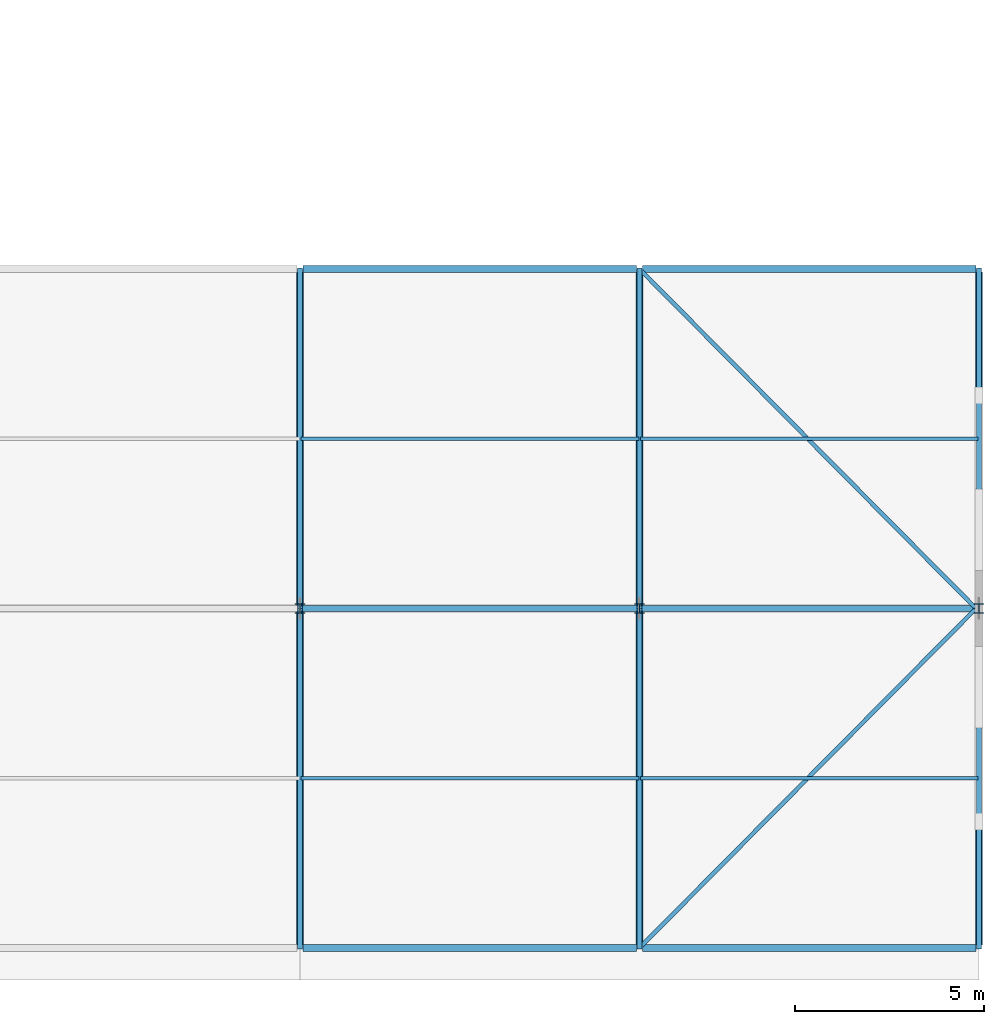
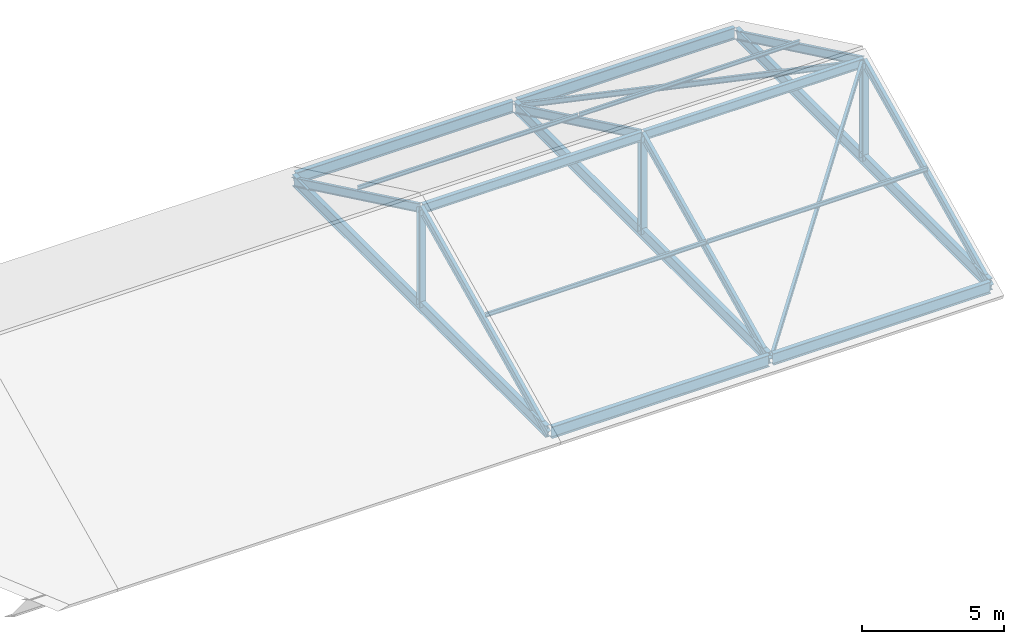
# One storey, part 5 of 9: 17 members, 7 beams.
"""IFC4 building model written with IfcOpenShell, lengths in metres."""

from ifc_helpers import new_model, si_unit, direction, frame, origin, origin_2d, place, context, subcontext, project, spatial, i_section, extrude, material, material_profile, profile_set, type_object, element, save


model = new_model("IFC4")

# Units and contexts
model_context = context("Model", 3, precision=1e-05, world=origin(), true_north=direction((0.0, 1.0)))
body_context = subcontext(model_context, "Body", "Model", "MODEL_VIEW")
ifc_project = project(units=[si_unit("LENGTHUNIT", "METRE"), si_unit("AREAUNIT", "SQUARE_METRE"), si_unit("VOLUMEUNIT", "CUBIC_METRE"), si_unit("PLANEANGLEUNIT", "RADIAN"), si_unit("MASSUNIT", "GRAM", prefix="KILO")], contexts=[model_context])

# Site, building, storey
site_placement = place(None, origin())
site = spatial("IfcSite", under=ifc_project, at=site_placement, CompositionType="ELEMENT")
building_placement = place(site_placement, origin())
building = spatial("IfcBuilding", under=site, at=building_placement, Name="Tharagai Park Tramway Depot", CompositionType="ELEMENT")
storey_placement = place(building_placement, frame((0.0, 0.0, 18.0)))
storey = spatial("IfcBuildingStorey", under=building, at=storey_placement, Name="RF", CompositionType="ELEMENT", Elevation=18.0)

# Beams
ifc_material_1 = material(Name="Steel E350", Category="steel")
ifc_material_profile_1 = material_profile(ifc_material_1, i_section(OverallWidth=0.179931640625, OverallDepth=0.5, WebThickness=0.01025390625, FlangeThickness=0.01708984375, FilletRadius=0.01708984375, at=origin_2d()), Name="ISMB 500")
ifc_profile_set_1 = profile_set([ifc_material_profile_1], Name="Steel E350")
beam_type = type_object("IfcBeamType", Name="BM-18", PredefinedType="BEAM", material=ifc_profile_set_1)
for number, where, z_axis, x_axis, name in (
    (1, (36.080078125, 0.0, -0.5), (1.0, 0.0, 0.0), (0.0, 1.0, 0.0), "V4S Roof Eave Girder BM-18"),
    (2, (36.080078125, 18.0, -0.5), (1.0, 0.0, 0.0), (0.0, 1.0, 0.0), "V4S Roof Eave Girder BM-18"),
    (3, (45.080078125, 0.0, -0.5), (1.0, 0.0, 0.0), (0.0, 1.0, 0.0), "V4S Roof Eave Girder BM-18"),
    (4, (45.080078125, 18.0, -0.5), (1.0, 0.0, 0.0), (0.0, 1.0, 0.0), "V4S Roof Eave Girder BM-18"),
):
    element("IfcBeam", number, at=place(storey_placement, frame(where, z_axis=z_axis, x_axis=x_axis)), inside=storey, type_object=beam_type, Name=name, PredefinedType="BEAM", context=body_context, shape_type="SweptSolid", body=[
        extrude(i_section(OverallWidth=0.179931640625, OverallDepth=0.5, WebThickness=0.01025390625, FlangeThickness=0.01708984375, FilletRadius=0.01708984375, at=origin_2d()), origin(), (0.0, 0.0, 1.0), 8.83984375),
    ])
for number, where, z_axis, x_axis, name in (
    (5, (36.0, 0.080078125, -0.5), (0.0, 1.0, 0.0), (-1.0, 0.0, 0.0), "V4S Gable Tie Girder BM-18"),
    (6, (45.0, 0.080078125, -0.5), (0.0, 1.0, 0.0), (-1.0, 0.0, 0.0), "V4S Gable Tie Girder BM-18"),
    (7, (54.0, 0.080078125, -0.5), (0.0, 1.0, 0.0), (-1.0, 0.0, 0.0), "V4S Gable Tie Girder BM-18"),
):
    element("IfcBeam", number, at=place(storey_placement, frame(where, z_axis=z_axis, x_axis=x_axis)), inside=storey, type_object=beam_type, Name=name, PredefinedType="BEAM", context=body_context, shape_type="SweptSolid", body=[
        extrude(i_section(OverallWidth=0.179931640625, OverallDepth=0.5, WebThickness=0.01025390625, FlangeThickness=0.01708984375, FilletRadius=0.01708984375, at=origin_2d()), origin(), (0.0, 0.0, 1.0), 17.83984375),
    ])

# Members
ifc_material_profile_2 = material_profile(ifc_material_1, i_section(OverallWidth=0.25, OverallDepth=0.25, WebThickness=0.0087890625, FlangeThickness=0.009765625, FilletRadius=0.010009765625, at=origin_2d()), Name="ISHB 250")
ifc_profile_set_2 = profile_set([ifc_material_profile_2], Name="Steel E350")
member_type_1 = type_object("IfcMemberType", Name="BR-01", PredefinedType="BRACE", material=ifc_profile_set_2)
for number, where, z_axis, x_axis, name in (
    (8, (36.0, 9.0, -0.5), (0.0, 0.0, 1.0), (1.0, 0.0, 0.0), "V4S Gable King Strut BR-01"),
    (9, (45.0, 9.0, -0.5), (0.0, 0.0, 1.0), (1.0, 0.0, 0.0), "V4S Gable King Strut BR-01"),
    (10, (54.0, 9.0, -0.5), (0.0, 0.0, 1.0), (1.0, 0.0, 0.0), "V4S Gable King Strut BR-01"),
):
    element("IfcMember", number, at=place(storey_placement, frame(where, z_axis=z_axis, x_axis=x_axis)), inside=storey, type_object=member_type_1, Name=name, PredefinedType="BRACE", context=body_context, shape_type="SweptSolid", body=[
        extrude(i_section(OverallWidth=0.25, OverallDepth=0.25, WebThickness=0.0087890625, FlangeThickness=0.009765625, FilletRadius=0.010009765625, at=origin_2d()), origin(), (0.0, 0.0, 1.0), 4.190185546875),
    ])
ifc_material_profile_3 = material_profile(ifc_material_1, i_section(OverallWidth=0.110107421875, OverallDepth=0.22509765625, WebThickness=0.006591796875, FlangeThickness=0.01171875, FilletRadius=0.011962890625, at=origin_2d()), Name="ISMB 225")
ifc_profile_set_3 = profile_set([ifc_material_profile_3], Name="Steel E350")
member_type_2 = type_object("IfcMemberType", Name="BR-04", PredefinedType="BRACE", material=ifc_profile_set_3)
for number, where, z_axis, x_axis, name in (
    (11, (45.080078125, 0.080078125, -0.5), (0.668123641953, 0.674176021388, 0.314797540094), (-0.710287879152, 0.703911307432, 0.0), "V4S Roof Wind Brace BR-04"),
    (12, (45.080078125, 17.919921875, -0.5), (0.668123641953, -0.674176021388, 0.314797540094), (0.710287879152, 0.703911307432, 0.0), "V4S Roof Wind Brace BR-04"),
):
    element("IfcMember", number, at=place(storey_placement, frame(where, z_axis=z_axis, x_axis=x_axis)), inside=storey, type_object=member_type_2, Name=name, PredefinedType="BRACE", context=body_context, shape_type="SweptSolid", body=[
        extrude(i_section(OverallWidth=0.110107421875, OverallDepth=0.22509765625, WebThickness=0.006591796875, FlangeThickness=0.01171875, FilletRadius=0.011962890625, at=origin_2d()), origin(), (0.0, 0.0, 1.0), 13.23095703125),
    ])
ifc_material_2 = material(Name="Steel E250", Category="steel")
ifc_material_profile_4 = material_profile(ifc_material_2, i_section(OverallWidth=0.090087890625, OverallDepth=0.175048828125, WebThickness=0.005615234375, FlangeThickness=0.009033203125, FilletRadius=0.010009765625, at=origin_2d()), Name="ISMB 175")
ifc_profile_set_4 = profile_set([ifc_material_profile_4], Name="Steel E250")
member_type_3 = type_object("IfcMemberType", Name="PR-01", PredefinedType="PURLIN", material=ifc_profile_set_4)
for number, where, z_axis, x_axis, name in (
    (13, (36.02001953125, 4.5, 1.811279296875), (1.0, 0.0, 0.0), (0.0, 1.0, 0.0), "V4S Roof Purlin PR-01"),
    (14, (36.02001953125, 13.5, 1.811279296875), (1.0, 0.0, 0.0), (0.0, 1.0, 0.0), "V4S Roof Purlin PR-01"),
    (15, (45.02001953125, 4.5, 1.811279296875), (1.0, 0.0, 0.0), (0.0, 1.0, 0.0), "V4S Roof Purlin PR-01"),
    (16, (45.02001953125, 13.5, 1.811279296875), (1.0, 0.0, 0.0), (0.0, 1.0, 0.0), "V4S Roof Purlin PR-01"),
):
    element("IfcMember", number, at=place(storey_placement, frame(where, z_axis=z_axis, x_axis=x_axis)), inside=storey, type_object=member_type_3, Name=name, PredefinedType="PURLIN", context=body_context, shape_type="SweptSolid", body=[
        extrude(i_section(OverallWidth=0.090087890625, OverallDepth=0.175048828125, WebThickness=0.005615234375, FlangeThickness=0.009033203125, FilletRadius=0.010009765625, at=origin_2d()), origin(), (0.0, 0.0, 1.0), 8.9599609375),
    ])
ifc_material_profile_5 = material_profile(ifc_material_1, i_section(OverallWidth=0.139892578125, OverallDepth=0.35009765625, WebThickness=0.008056640625, FlangeThickness=0.01416015625, FilletRadius=0.013916015625, at=origin_2d()), Name="ISMB 350")
ifc_profile_set_5 = profile_set([ifc_material_profile_5], Name="Steel E350")
member_type_4 = type_object("IfcMemberType", Name="RF-01", PredefinedType="RAFTER", material=ifc_profile_set_5)
for number, where, z_axis, x_axis, name in (
    (17, (36.0, 0.050048828125, -0.602783203125), (0.0, 0.901641235071, 0.432484778021), (-1.0, 0.0, 0.0), "V4S Pitched Rafter RF-01 South"),
    (18, (36.0, 9.0, 3.690185546875), (0.0, 0.901641235071, -0.432484778021), (-1.0, 0.0, 0.0), "V4S Pitched Rafter RF-01 North"),
    (19, (45.0, 0.050048828125, -0.602783203125), (0.0, 0.901641235071, 0.432484778021), (-1.0, 0.0, 0.0), "V4S Pitched Rafter RF-01 South"),
    (20, (45.0, 9.0, 3.690185546875), (0.0, 0.901641235071, -0.432484778021), (-1.0, 0.0, 0.0), "V4S Pitched Rafter RF-01 North"),
    (21, (54.0, 0.050048828125, -0.602783203125), (0.0, 0.901641235071, 0.432484778021), (-1.0, 0.0, 0.0), "V4S Pitched Rafter RF-01 South"),
    (22, (54.0, 9.0, 3.690185546875), (0.0, 0.901641235071, -0.432484778021), (-1.0, 0.0, 0.0), "V4S Pitched Rafter RF-01 North"),
):
    element("IfcMember", number, at=place(storey_placement, frame(where, z_axis=z_axis, x_axis=x_axis)), inside=storey, type_object=member_type_4, Name=name, PredefinedType="RAFTER", context=body_context, shape_type="SweptSolid", body=[
        extrude(i_section(OverallWidth=0.139892578125, OverallDepth=0.35009765625, WebThickness=0.008056640625, FlangeThickness=0.01416015625, FilletRadius=0.013916015625, at=origin_2d()), origin(), (0.0, 0.0, 1.0), 9.92626953125),
    ])
ifc_material_profile_6 = material_profile(ifc_material_1, i_section(OverallWidth=0.1650390625, OverallDepth=0.39990234375, WebThickness=0.008056640625, FlangeThickness=0.012451171875, FilletRadius=0.013916015625, at=origin_2d()), Name="ISLB 400")
ifc_profile_set_6 = profile_set([ifc_material_profile_6], Name="Steel E350")
member_type_5 = type_object("IfcMemberType", Name="TC-04", PredefinedType="CHORD", material=ifc_profile_set_6)
for number, where, z_axis, x_axis, name in (
    (23, (36.0400390625, 9.0, 3.6650390625), (1.0, 0.0, 0.0), (0.0, 1.0, 0.0), "V4S Roof Ridge Chord TC-04"),
    (24, (45.0400390625, 9.0, 3.6650390625), (1.0, 0.0, 0.0), (0.0, 1.0, 0.0), "V4S Roof Ridge Chord TC-04"),
):
    element("IfcMember", number, at=place(storey_placement, frame(where, z_axis=z_axis, x_axis=x_axis)), inside=storey, type_object=member_type_5, Name=name, PredefinedType="CHORD", context=body_context, shape_type="SweptSolid", body=[
        extrude(i_section(OverallWidth=0.1650390625, OverallDepth=0.39990234375, WebThickness=0.008056640625, FlangeThickness=0.012451171875, FilletRadius=0.013916015625, at=origin_2d()), origin(), (0.0, 0.0, 1.0), 8.919921875),
    ])

save(model, "model.ifc")
